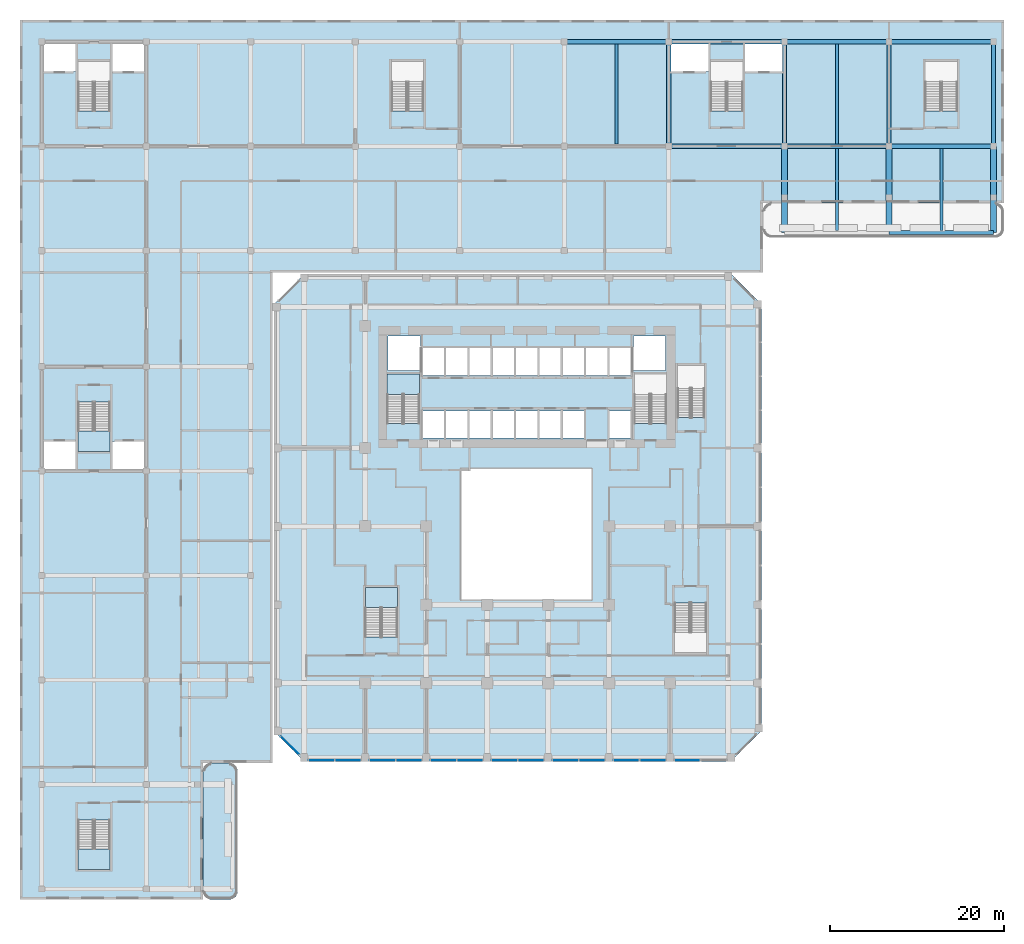
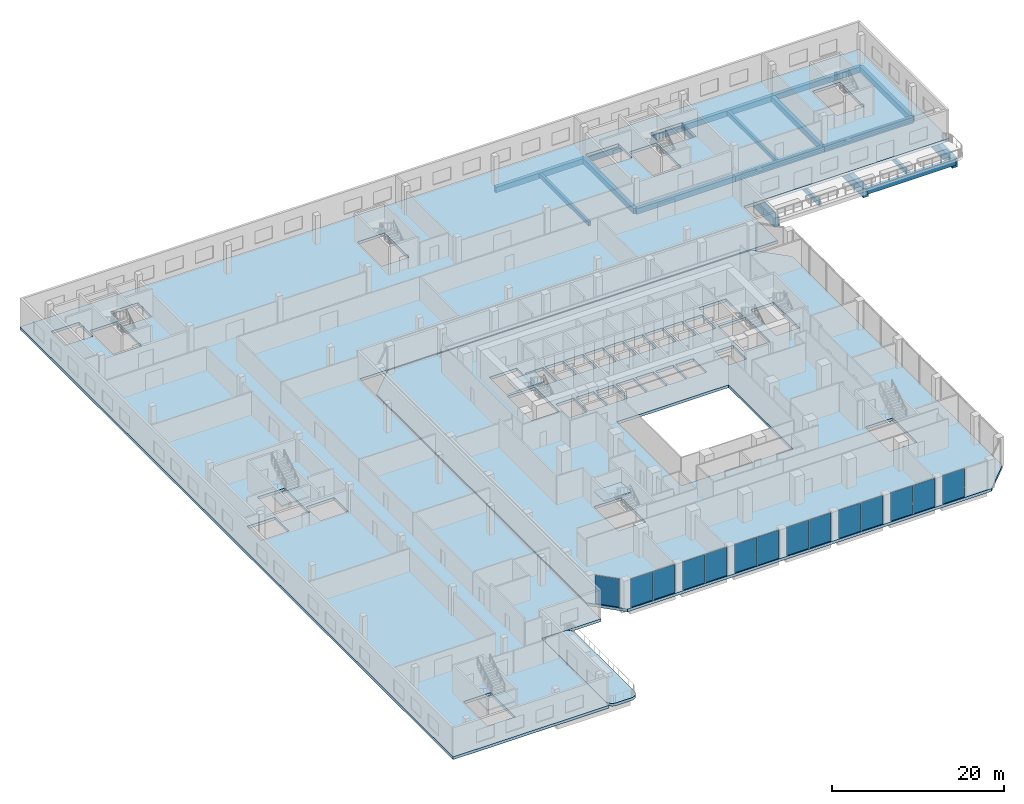
# One storey, part 11 of 36: 19 beams, 14 plates, 7 slabs, 18 elements without a shape of their own.
"""IFC4 building model written with IfcOpenShell, lengths in metres."""

from ifc_helpers import new_model, si_unit, direction, frame, origin, origin_2d, place, context, subcontext, project, spatial, polyline, rectangle, outline, extrude, source, transform, mapped, material, layer, layer_set, material_profile, profile_set, type_object, element, aggregate, save


model = new_model("IFC4")

# Units and contexts
model_context = context("Model", 3, precision=1e-05, world=origin(), true_north=direction((0.0, 1.0)))
body_context = subcontext(model_context, "Body", "Model", "MODEL_VIEW")
ifc_project = project(units=[si_unit("LENGTHUNIT", "METRE"), si_unit("AREAUNIT", "SQUARE_METRE"), si_unit("VOLUMEUNIT", "CUBIC_METRE"), si_unit("PLANEANGLEUNIT", "RADIAN"), si_unit("MASSUNIT", "GRAM", prefix="KILO")], contexts=[model_context])

# Site, building, storey
site_placement = place(None, origin())
site = spatial("IfcSite", under=ifc_project, at=site_placement, CompositionType="ELEMENT")
building_placement = place(site_placement, origin())
building = spatial("IfcBuilding", under=site, at=building_placement, Name="Kilnfold Tower and Market Hall", CompositionType="ELEMENT")
storey_placement = place(building_placement, frame((0.0, 0.0, 18.0)))
storey = spatial("IfcBuildingStorey", under=building, at=storey_placement, Name="L03", CompositionType="ELEMENT", Elevation=18.0)

# Beams
ifc_material_1 = material(Name="Concrete C40/50", Category="concrete")
ifc_material_profile_1 = material_profile(ifc_material_1, rectangle(XDim=0.5, YDim=0.800048828125, at=origin_2d()), Name="RC 500x800")
ifc_profile_set_1 = profile_set([ifc_material_profile_1], Name="Concrete C40/50")
beam_type_1 = type_object("IfcBeamType", Name="HALL GIRDER 500X800", PredefinedType="BEAM", material=ifc_profile_set_1)
for number, where, z_axis, x_axis, name in (
    (1, (5.35009765625, 54.64990234375, -0.800048828125), (1.0, 0.0, 0.0), (0.0, 1.0, 0.0), "Beam MG2.57"),
    (2, (17.35009765625, 42.64990234375, -0.800048828125), (0.0, 1.0, 0.0), (-1.0, 0.0, 0.0), "Beam MG2.59"),
):
    element("IfcBeam", number, at=place(storey_placement, frame(where, z_axis=z_axis, x_axis=x_axis)), inside=storey, type_object=beam_type_1, Name=name, PredefinedType="BEAM", context=body_context, shape_type="SweptSolid", body=[
        extrude(rectangle(XDim=0.5, YDim=0.800048828125, at=origin_2d()), origin(), (0.0, 0.0, 1.0), 12.0),
    ])
for number, where, z_axis, x_axis, name in (
    (3, (17.35009765625, 42.64990234375, -0.800048828125), (1.0, 0.0, 0.0), (0.0, 1.0, 0.0), "Beam MG2.60"),
    (4, (17.35009765625, 54.64990234375, -0.800048828125), (1.0, 0.0, 0.0), (0.0, 1.0, 0.0), "Beam MG2.61"),
):
    element("IfcBeam", number, at=place(storey_placement, frame(where, z_axis=z_axis, x_axis=x_axis)), inside=storey, type_object=beam_type_1, Name=name, PredefinedType="BEAM", context=body_context, shape_type="SweptSolid", body=[
        extrude(rectangle(XDim=0.5, YDim=0.800048828125, at=origin_2d()), origin(), (0.0, 0.0, 1.0), 13.2998046875),
    ])
for number, where, z_axis, x_axis, name in (
    (5, (30.64990234375, 42.64990234375, -0.800048828125), (0.0, 1.0, 0.0), (-1.0, 0.0, 0.0), "Beam MG2.63"),
    (6, (30.64990234375, 42.64990234375, -0.800048828125), (1.0, 0.0, 0.0), (0.0, 1.0, 0.0), "Beam MG2.64"),
    (7, (30.64990234375, 54.64990234375, -0.800048828125), (1.0, 0.0, 0.0), (0.0, 1.0, 0.0), "Beam MG2.65"),
    (8, (42.64990234375, 32.75, -0.800048828125), (1.0, 0.0, 0.0), (0.0, 1.0, 0.0), "Beam MG2.66"),
    (9, (42.64990234375, 42.64990234375, -0.800048828125), (0.0, 1.0, 0.0), (-1.0, 0.0, 0.0), "Beam MG2.67"),
    (10, (42.64990234375, 42.64990234375, -0.800048828125), (1.0, 0.0, 0.0), (0.0, 1.0, 0.0), "Beam MG2.68"),
    (11, (42.64990234375, 54.64990234375, -0.800048828125), (1.0, 0.0, 0.0), (0.0, 1.0, 0.0), "Beam MG2.69"),
    (12, (54.64990234375, 42.64990234375, -0.800048828125), (0.0, 1.0, 0.0), (-1.0, 0.0, 0.0), "Beam MG2.70"),
):
    element("IfcBeam", number, at=place(storey_placement, frame(where, z_axis=z_axis, x_axis=x_axis)), inside=storey, type_object=beam_type_1, Name=name, PredefinedType="BEAM", context=body_context, shape_type="SweptSolid", body=[
        extrude(rectangle(XDim=0.5, YDim=0.800048828125, at=origin_2d()), origin(), (0.0, 0.0, 1.0), 12.0),
    ])
ifc_material_2 = material(Name="Concrete C40/50", Category="concrete")
ifc_material_profile_2 = material_profile(ifc_material_2, rectangle(XDim=0.35009765625, YDim=0.60009765625, at=origin_2d()), Name="RC 350x600")
ifc_profile_set_2 = profile_set([ifc_material_profile_2], Name="Concrete C40/50")
beam_type_2 = type_object("IfcBeamType", Name="HALL JOIST 350X600", PredefinedType="BEAM", material=ifc_profile_set_2)
beam_1_placement = place(storey_placement, frame((11.35009765625, 42.89990234375, -0.699951171875), z_axis=(0.0, 1.0, 0.0), x_axis=(-1.0, 0.0, 0.0)))
element("IfcBeam", 13, at=beam_1_placement, inside=storey, type_object=beam_type_2, Name="Beam MJ1.12", PredefinedType="BEAM", context=body_context, shape_type="SweptSolid", body=[
    extrude(rectangle(XDim=0.35009765625, YDim=0.60009765625, at=origin_2d()), origin(), (0.0, 0.0, 1.0), 11.5),
])
beam_2_placement = place(storey_placement, frame((36.64990234375, 33.0, -0.699951171875), z_axis=(0.0, 1.0, 0.0), x_axis=(-1.0, 0.0, 0.0)))
element("IfcBeam", 14, at=beam_2_placement, inside=storey, type_object=beam_type_2, Name="Beam MJ1.13", PredefinedType="BEAM", context=body_context, shape_type="SweptSolid", body=[
    extrude(rectangle(XDim=0.35009765625, YDim=0.60009765625, at=origin_2d()), origin(), (0.0, 0.0, 1.0), 9.39990234375),
])
beam_3_placement = place(storey_placement, frame((36.64990234375, 42.89990234375, -0.699951171875), z_axis=(0.0, 1.0, 0.0), x_axis=(-1.0, 0.0, 0.0)))
element("IfcBeam", 15, at=beam_3_placement, inside=storey, type_object=beam_type_2, Name="Beam MJ1.14", PredefinedType="BEAM", context=body_context, shape_type="SweptSolid", body=[
    extrude(rectangle(XDim=0.35009765625, YDim=0.60009765625, at=origin_2d()), origin(), (0.0, 0.0, 1.0), 11.5),
])
beam_4_placement = place(storey_placement, frame((48.64990234375, 33.0, -0.699951171875), z_axis=(0.0, 1.0, 0.0), x_axis=(-1.0, 0.0, 0.0)))
element("IfcBeam", 16, at=beam_4_placement, inside=storey, type_object=beam_type_2, Name="Beam MJ1.15", PredefinedType="BEAM", context=body_context, shape_type="SweptSolid", body=[
    extrude(rectangle(XDim=0.35009765625, YDim=0.60009765625, at=origin_2d()), origin(), (0.0, 0.0, 1.0), 9.39990234375),
])
ifc_material_3 = material(Name="Concrete C45/55", Category="concrete")
ifc_material_profile_3 = material_profile(ifc_material_3, rectangle(XDim=0.699951171875, YDim=1.300048828125, at=origin_2d()), Name="RC 700x1300")
ifc_profile_set_3 = profile_set([ifc_material_profile_3], Name="Concrete C45/55")
beam_type_3 = type_object("IfcBeamType", Name="HALL TRANSFER 700X1300", PredefinedType="BEAM", material=ifc_profile_set_3)
for number, where, z_axis, x_axis, name in (
    (17, (30.64990234375, 32.75, -1.050048828125), (0.0, 1.0, 0.0), (-1.0, 0.0, 0.0), "Beam MT1.3"),
    (18, (42.64990234375, 32.75, -1.050048828125), (0.0, 1.0, 0.0), (-1.0, 0.0, 0.0), "Beam MT1.4"),
    (19, (54.64990234375, 32.75, -1.050048828125), (0.0, 1.0, 0.0), (-1.0, 0.0, 0.0), "Beam MT1.5"),
):
    element("IfcBeam", number, at=place(storey_placement, frame(where, z_axis=z_axis, x_axis=x_axis)), inside=storey, type_object=beam_type_3, Name=name, PredefinedType="BEAM", context=body_context, shape_type="SweptSolid", body=[
        extrude(rectangle(XDim=0.699951171875, YDim=1.300048828125, at=origin_2d()), origin(), (0.0, 0.0, 1.0), 9.89990234375),
    ])

# Slabs
ifc_material_4 = material(Name="Concrete C45", Category="concrete")
ifc_layer_1 = layer(ifc_material_4, 0.39990234375)
ifc_layer_set_1 = layer_set([ifc_layer_1], Name="Concrete C45")
slab_type_1 = type_object("IfcSlabType", Name="FLOOR SLAB 400", PredefinedType="FLOOR", material=ifc_layer_set_1)
shared_shape_1 = source(origin(), body_context, "Body", "SweptSolid", [
    extrude(outline(polyline([(-24.5, -28.0), (24.5, -28.0), (28.0, -24.5), (28.0, 24.5), (24.5, 28.0), (-24.5, 28.0), (-28.0, 24.5), (-28.0, -24.5), (-24.5, -28.0)]), holes=[polyline([(-17.49951171875, -13.699462890625), (-17.49951171875, -8.00048828125), (-13.800537109375, -8.00048828125), (-13.800537109375, -13.699462890625), (-17.49951171875, -13.699462890625)]), polyline([(-14.99951171875, 10.800537109375), (-14.99951171875, 16.49951171875), (-11.300537109375, 16.49951171875), (-11.300537109375, 10.800537109375), (-14.99951171875, 10.800537109375)]), polyline([(-14.875, 16.875), (-14.875, 20.875), (-11.175048828125, 20.875), (-11.175048828125, 16.875), (-14.875, 16.875)]), polyline([(-10.885009765625, 9.125), (-10.885009765625, 12.27490234375), (-8.455078125, 12.27490234375), (-8.455078125, 9.125), (-10.885009765625, 9.125)]), polyline([(-10.885009765625, 16.324951171875), (-10.885009765625, 19.47509765625), (-8.455078125, 19.47509765625), (-8.455078125, 16.324951171875), (-10.885009765625, 16.324951171875)]), polyline([(-8.205078125, 9.125), (-8.205078125, 12.27490234375), (-5.77490234375, 12.27490234375), (-5.77490234375, 9.125), (-8.205078125, 9.125)]), polyline([(-8.205078125, 16.324951171875), (-8.205078125, 19.47509765625), (-5.77490234375, 19.47509765625), (-5.77490234375, 16.324951171875), (-8.205078125, 16.324951171875)]), polyline([(-6.5, -9.39990234375), (-6.5, 5.60009765625), (8.5, 5.60009765625), (8.5, -9.39990234375), (-6.5, -9.39990234375)]), polyline([(-5.52490234375, 9.125), (-5.52490234375, 12.27490234375), (-3.094970703125, 12.27490234375), (-3.094970703125, 9.125), (-5.52490234375, 9.125)]), polyline([(-5.52490234375, 16.324951171875), (-5.52490234375, 19.47509765625), (-3.094970703125, 19.47509765625), (-3.094970703125, 16.324951171875), (-5.52490234375, 16.324951171875)]), polyline([(-2.844970703125, 9.125), (-2.844970703125, 12.27490234375), (-0.4150390625, 12.27490234375), (-0.4150390625, 9.125), (-2.844970703125, 9.125)]), polyline([(-2.844970703125, 16.324951171875), (-2.844970703125, 19.47509765625), (-0.4150390625, 19.47509765625), (-0.4150390625, 16.324951171875), (-2.844970703125, 16.324951171875)]), polyline([(-0.1650390625, 9.125), (-0.1650390625, 12.27490234375), (2.264892578125, 12.27490234375), (2.264892578125, 9.125), (-0.1650390625, 9.125)]), polyline([(-0.1650390625, 16.324951171875), (-0.1650390625, 19.47509765625), (2.264892578125, 19.47509765625), (2.264892578125, 16.324951171875), (-0.1650390625, 16.324951171875)]), polyline([(2.514892578125, 9.125), (2.514892578125, 12.27490234375), (4.945068359375, 12.27490234375), (4.945068359375, 9.125), (2.514892578125, 9.125)]), polyline([(2.514892578125, 16.324951171875), (2.514892578125, 19.47509765625), (4.945068359375, 19.47509765625), (4.945068359375, 16.324951171875), (2.514892578125, 16.324951171875)]), polyline([(5.195068359375, 9.125), (5.195068359375, 12.27490234375), (7.625, 12.27490234375), (7.625, 9.125), (5.195068359375, 9.125)]), polyline([(5.195068359375, 16.324951171875), (5.195068359375, 19.47509765625), (7.625, 19.47509765625), (7.625, 16.324951171875), (5.195068359375, 16.324951171875)]), polyline([(7.875, 16.324951171875), (7.875, 19.47509765625), (10.304931640625, 19.47509765625), (10.304931640625, 16.324951171875), (7.875, 16.324951171875)]), polyline([(10.554931640625, 9.125), (10.554931640625, 12.27490234375), (12.985107421875, 12.27490234375), (12.985107421875, 9.125), (10.554931640625, 9.125)]), polyline([(10.554931640625, 16.324951171875), (10.554931640625, 19.47509765625), (12.985107421875, 19.47509765625), (12.985107421875, 16.324951171875), (10.554931640625, 16.324951171875)]), polyline([(13.27490234375, 16.875), (13.27490234375, 20.875), (16.97509765625, 20.875), (16.97509765625, 16.875), (13.27490234375, 16.875)]), polyline([(13.400390625, 10.800537109375), (13.400390625, 16.49951171875), (17.099609375, 16.49951171875), (17.099609375, 10.800537109375), (13.400390625, 10.800537109375)]), polyline([(21.699462890625, -9.800537109375), (21.699462890625, -15.49951171875), (18.00048828125, -15.49951171875), (18.00048828125, -9.800537109375), (21.699462890625, -9.800537109375)]), polyline([(18.3505859375, 11.50048828125), (18.3505859375, 17.49951171875), (21.449462890625, 17.49951171875), (21.449462890625, 11.50048828125), (18.3505859375, 11.50048828125)])]), origin(), (0.0, 0.0, 1.0), 0.400146484375),
])
slab_1_placement = place(storey_placement, frame((0.0, 0.0, -0.400146484375)))
element("IfcSlab", 20, at=slab_1_placement, inside=storey, type_object=slab_type_1, Name="Floor slab L03", PredefinedType="FLOOR", context=body_context, shape_type="MappedRepresentation", body=[
    mapped(shared_shape_1, transform((0.0, 0.0, 0.0))),
])
ifc_material_5 = material(Name="Concrete C40/50", Category="concrete")
ifc_layer_2 = layer(ifc_material_5, 0.39990234375)
ifc_layer_set_2 = layer_set([ifc_layer_2], Name="Concrete C40/50")
slab_type_2 = type_object("IfcSlabType", Name="HALL SLAB 400", PredefinedType="FLOOR", material=ifc_layer_set_2)
shared_shape_2 = source(origin(), body_context, "Body", "SweptSolid", [
    extrude(outline(polyline([(-57.14990234375, -43.85009765625), (-36.14990234375, -43.85009765625), (-36.14990234375, -28.14990234375), (-28.14990234375, -28.14990234375), (-28.14990234375, -24.56201171875), (-28.14990234375, 24.56201171875), (-28.14990234375, 28.14990234375), (-24.56201171875, 28.14990234375), (24.56201171875, 28.14990234375), (28.14990234375, 28.14990234375), (28.14990234375, 36.14990234375), (55.85009765625, 36.14990234375), (55.85009765625, 57.14990234375), (-28.14990234375, 57.14990234375), (-57.14990234375, 57.14990234375), (-57.14990234375, 28.14990234375), (-57.14990234375, -43.85009765625)]), holes=[polyline([(-50.5, -34.705078125), (-50.5, -40.39990234375), (-46.800048828125, -40.39990234375), (-46.800048828125, -34.705078125), (-50.5, -34.705078125)]), polyline([(-50.5, 13.294921875), (-50.5, 7.60009765625), (-46.800048828125, 7.60009765625), (-46.800048828125, 13.294921875), (-50.5, 13.294921875)]), polyline([(-46.800048828125, 46.705078125), (-46.800048828125, 52.39990234375), (-50.5, 52.39990234375), (-50.5, 46.705078125), (-46.800048828125, 46.705078125)]), polyline([(-10.800048828125, 46.705078125), (-10.800048828125, 52.39990234375), (-14.5, 52.39990234375), (-14.5, 46.705078125), (-10.800048828125, 46.705078125)]), polyline([(25.85009765625, 46.705078125), (25.85009765625, 52.39990234375), (22.14990234375, 52.39990234375), (22.14990234375, 46.705078125), (25.85009765625, 46.705078125)]), polyline([(50.5, 46.705078125), (50.5, 52.39990234375), (46.800048828125, 52.39990234375), (46.800048828125, 46.705078125), (50.5, 46.705078125)]), polyline([(-54.5, 5.5), (-50.75, 5.5), (-50.75, 8.75), (-54.5, 8.75), (-54.5, 5.5)]), polyline([(-46.550048828125, 5.5), (-42.800048828125, 5.5), (-42.800048828125, 8.75), (-46.550048828125, 8.75), (-46.550048828125, 5.5)]), polyline([(-42.800048828125, 54.5), (-46.550048828125, 54.5), (-46.550048828125, 51.25), (-42.800048828125, 51.25), (-42.800048828125, 54.5)]), polyline([(-50.75, 54.5), (-54.5, 54.5), (-54.5, 51.25), (-50.75, 51.25), (-50.75, 54.5)]), polyline([(30.5, 54.5), (26.10009765625, 54.5), (26.10009765625, 51.25), (30.5, 51.25), (30.5, 54.5)]), polyline([(21.89990234375, 54.5), (17.5, 54.5), (17.5, 51.25), (21.89990234375, 51.25), (21.89990234375, 54.5)])]), origin(), (0.0, 0.0, 1.0), 0.39990234375),
])
slab_2_placement = place(storey_placement, frame((0.0, 0.0, -0.39990234375)))
element("IfcSlab", 21, at=slab_2_placement, inside=storey, type_object=slab_type_2, Name="Floor slab L03", PredefinedType="FLOOR", context=body_context, shape_type="MappedRepresentation", body=[
    mapped(shared_shape_2, transform((0.0, 0.0, 0.0))),
])

# Curtain wall, plate
ifc_material_6 = material(Name="Aluminium and double glazing", Category="aluminium")
curtain_wall_type = type_object("IfcCurtainWallType", Name="CW BASE PODIUM GLAZING", PredefinedType="NOTDEFINED", material=ifc_material_6)
curtain_wall_1_placement = place(storey_placement, origin())
curtain_wall_1 = element("IfcCurtainWall", 22, at=curtain_wall_1_placement, inside=storey, type_object=curtain_wall_type, Name="Curtain wall CW4 L03 S", PredefinedType="NOTDEFINED")
ifc_material_7 = material(Name="Double glazed unit")
ifc_layer_3 = layer(ifc_material_7, 0.035888671875)
ifc_layer_set_3 = layer_set([ifc_layer_3], Name="Double glazed unit")
plate_type = type_object("IfcPlateType", Name="GLAZING PANEL 36", PredefinedType="CURTAIN_PANEL", material=ifc_layer_set_3)
shared_shape_3 = source(origin(), body_context, "Body", "SweptSolid", [
    extrude(rectangle(XDim=2.909912109375, YDim=0.035888671875, at=origin_2d()), origin(), (0.0, 0.0, 1.0), 4.030029296875),
])
plate_1_placement = place(storey_placement, frame((-22.52490234375, -27.85009765625, 0.0), z_axis=(0.0, 0.0, 1.0), x_axis=(1.0, 0.0, 0.0)))
plate_1 = element("IfcPlate", 23, at=plate_1_placement, type_object=plate_type, Name="CW4 panel 1.1", PredefinedType="CURTAIN_PANEL", context=body_context, shape_type="MappedRepresentation", body=[
    mapped(shared_shape_3, transform((0.0, 0.0, 0.0))),
])
aggregate(curtain_wall_1, [plate_1])

curtain_wall_2_placement = place(storey_placement, origin())
curtain_wall_2 = element("IfcCurtainWall", 24, at=curtain_wall_2_placement, inside=storey, type_object=curtain_wall_type, Name="Curtain wall CW4 L03 S", PredefinedType="NOTDEFINED")
plate_2_placement = place(storey_placement, frame((-19.47509765625, -27.85009765625, 0.0), z_axis=(0.0, 0.0, 1.0), x_axis=(1.0, 0.0, 0.0)))
plate_2 = element("IfcPlate", 25, at=plate_2_placement, type_object=plate_type, Name="CW4 panel 1.1", PredefinedType="CURTAIN_PANEL", context=body_context, shape_type="MappedRepresentation", body=[
    mapped(shared_shape_3, transform((0.0, 0.0, 0.0))),
])
aggregate(curtain_wall_2, [plate_2])

curtain_wall_3_placement = place(storey_placement, origin())
curtain_wall_3 = element("IfcCurtainWall", 26, at=curtain_wall_3_placement, inside=storey, type_object=curtain_wall_type, Name="Curtain wall CW4 L03 S", PredefinedType="NOTDEFINED")
plate_3_placement = place(storey_placement, frame((-15.52490234375, -27.85009765625, 0.0), z_axis=(0.0, 0.0, 1.0), x_axis=(1.0, 0.0, 0.0)))
plate_3 = element("IfcPlate", 27, at=plate_3_placement, type_object=plate_type, Name="CW4 panel 1.1", PredefinedType="CURTAIN_PANEL", context=body_context, shape_type="MappedRepresentation", body=[
    mapped(shared_shape_3, transform((0.0, 0.0, 0.0))),
])
aggregate(curtain_wall_3, [plate_3])

curtain_wall_4_placement = place(storey_placement, origin())
curtain_wall_4 = element("IfcCurtainWall", 28, at=curtain_wall_4_placement, inside=storey, type_object=curtain_wall_type, Name="Curtain wall CW4 L03 S", PredefinedType="NOTDEFINED")
plate_4_placement = place(storey_placement, frame((-12.47509765625, -27.85009765625, 0.0), z_axis=(0.0, 0.0, 1.0), x_axis=(1.0, 0.0, 0.0)))
plate_4 = element("IfcPlate", 29, at=plate_4_placement, type_object=plate_type, Name="CW4 panel 1.1", PredefinedType="CURTAIN_PANEL", context=body_context, shape_type="MappedRepresentation", body=[
    mapped(shared_shape_3, transform((0.0, 0.0, 0.0))),
])
aggregate(curtain_wall_4, [plate_4])

curtain_wall_5_placement = place(storey_placement, origin())
curtain_wall_5 = element("IfcCurtainWall", 30, at=curtain_wall_5_placement, inside=storey, type_object=curtain_wall_type, Name="Curtain wall CW4 L03 S", PredefinedType="NOTDEFINED")
plate_5_placement = place(storey_placement, frame((-8.52490234375, -27.85009765625, 0.0), z_axis=(0.0, 0.0, 1.0), x_axis=(1.0, 0.0, 0.0)))
plate_5 = element("IfcPlate", 31, at=plate_5_placement, type_object=plate_type, Name="CW4 panel 1.1", PredefinedType="CURTAIN_PANEL", context=body_context, shape_type="MappedRepresentation", body=[
    mapped(shared_shape_3, transform((0.0, 0.0, 0.0))),
])
aggregate(curtain_wall_5, [plate_5])

curtain_wall_6_placement = place(storey_placement, origin())
curtain_wall_6 = element("IfcCurtainWall", 32, at=curtain_wall_6_placement, inside=storey, type_object=curtain_wall_type, Name="Curtain wall CW4 L03 S", PredefinedType="NOTDEFINED")
plate_6_placement = place(storey_placement, frame((-5.47509765625, -27.85009765625, 0.0), z_axis=(0.0, 0.0, 1.0), x_axis=(1.0, 0.0, 0.0)))
plate_6 = element("IfcPlate", 33, at=plate_6_placement, type_object=plate_type, Name="CW4 panel 1.1", PredefinedType="CURTAIN_PANEL", context=body_context, shape_type="MappedRepresentation", body=[
    mapped(shared_shape_3, transform((0.0, 0.0, 0.0))),
])
aggregate(curtain_wall_6, [plate_6])

curtain_wall_7_placement = place(storey_placement, origin())
curtain_wall_7 = element("IfcCurtainWall", 34, at=curtain_wall_7_placement, inside=storey, type_object=curtain_wall_type, Name="Curtain wall CW4 L03 S", PredefinedType="NOTDEFINED")
plate_7_placement = place(storey_placement, frame((-1.52490234375, -27.85009765625, 0.0), z_axis=(0.0, 0.0, 1.0), x_axis=(1.0, 0.0, 0.0)))
plate_7 = element("IfcPlate", 35, at=plate_7_placement, type_object=plate_type, Name="CW4 panel 1.1", PredefinedType="CURTAIN_PANEL", context=body_context, shape_type="MappedRepresentation", body=[
    mapped(shared_shape_3, transform((0.0, 0.0, 0.0))),
])
aggregate(curtain_wall_7, [plate_7])

curtain_wall_8_placement = place(storey_placement, origin())
curtain_wall_8 = element("IfcCurtainWall", 36, at=curtain_wall_8_placement, inside=storey, type_object=curtain_wall_type, Name="Curtain wall CW4 L03 S", PredefinedType="NOTDEFINED")
plate_8_placement = place(storey_placement, frame((1.52490234375, -27.85009765625, 0.0), z_axis=(0.0, 0.0, 1.0), x_axis=(1.0, 0.0, 0.0)))
plate_8 = element("IfcPlate", 37, at=plate_8_placement, type_object=plate_type, Name="CW4 panel 1.1", PredefinedType="CURTAIN_PANEL", context=body_context, shape_type="MappedRepresentation", body=[
    mapped(shared_shape_3, transform((0.0, 0.0, 0.0))),
])
aggregate(curtain_wall_8, [plate_8])

curtain_wall_9_placement = place(storey_placement, origin())
curtain_wall_9 = element("IfcCurtainWall", 38, at=curtain_wall_9_placement, inside=storey, type_object=curtain_wall_type, Name="Curtain wall CW4 L03 S", PredefinedType="NOTDEFINED")
plate_9_placement = place(storey_placement, frame((5.47509765625, -27.85009765625, 0.0), z_axis=(0.0, 0.0, 1.0), x_axis=(1.0, 0.0, 0.0)))
plate_9 = element("IfcPlate", 39, at=plate_9_placement, type_object=plate_type, Name="CW4 panel 1.1", PredefinedType="CURTAIN_PANEL", context=body_context, shape_type="MappedRepresentation", body=[
    mapped(shared_shape_3, transform((0.0, 0.0, 0.0))),
])
aggregate(curtain_wall_9, [plate_9])

curtain_wall_10_placement = place(storey_placement, origin())
curtain_wall_10 = element("IfcCurtainWall", 40, at=curtain_wall_10_placement, inside=storey, type_object=curtain_wall_type, Name="Curtain wall CW4 L03 S", PredefinedType="NOTDEFINED")
plate_10_placement = place(storey_placement, frame((8.52490234375, -27.85009765625, 0.0), z_axis=(0.0, 0.0, 1.0), x_axis=(1.0, 0.0, 0.0)))
plate_10 = element("IfcPlate", 41, at=plate_10_placement, type_object=plate_type, Name="CW4 panel 1.1", PredefinedType="CURTAIN_PANEL", context=body_context, shape_type="MappedRepresentation", body=[
    mapped(shared_shape_3, transform((0.0, 0.0, 0.0))),
])
aggregate(curtain_wall_10, [plate_10])

curtain_wall_11_placement = place(storey_placement, origin())
curtain_wall_11 = element("IfcCurtainWall", 42, at=curtain_wall_11_placement, inside=storey, type_object=curtain_wall_type, Name="Curtain wall CW4 L03 S", PredefinedType="NOTDEFINED")
plate_11_placement = place(storey_placement, frame((12.47509765625, -27.85009765625, 0.0), z_axis=(0.0, 0.0, 1.0), x_axis=(1.0, 0.0, 0.0)))
plate_11 = element("IfcPlate", 43, at=plate_11_placement, type_object=plate_type, Name="CW4 panel 1.1", PredefinedType="CURTAIN_PANEL", context=body_context, shape_type="MappedRepresentation", body=[
    mapped(shared_shape_3, transform((0.0, 0.0, 0.0))),
])
aggregate(curtain_wall_11, [plate_11])

curtain_wall_12_placement = place(storey_placement, origin())
curtain_wall_12 = element("IfcCurtainWall", 44, at=curtain_wall_12_placement, inside=storey, type_object=curtain_wall_type, Name="Curtain wall CW4 L03 S", PredefinedType="NOTDEFINED")
plate_12_placement = place(storey_placement, frame((15.52490234375, -27.85009765625, 0.0), z_axis=(0.0, 0.0, 1.0), x_axis=(1.0, 0.0, 0.0)))
plate_12 = element("IfcPlate", 45, at=plate_12_placement, type_object=plate_type, Name="CW4 panel 1.1", PredefinedType="CURTAIN_PANEL", context=body_context, shape_type="MappedRepresentation", body=[
    mapped(shared_shape_3, transform((0.0, 0.0, 0.0))),
])
aggregate(curtain_wall_12, [plate_12])

curtain_wall_13_placement = place(storey_placement, origin())
curtain_wall_13 = element("IfcCurtainWall", 46, at=curtain_wall_13_placement, inside=storey, type_object=curtain_wall_type, Name="Curtain wall CW4 L03 S", PredefinedType="NOTDEFINED")
plate_13_placement = place(storey_placement, frame((19.47509765625, -27.85009765625, 0.0), z_axis=(0.0, 0.0, 1.0), x_axis=(1.0, 0.0, 0.0)))
plate_13 = element("IfcPlate", 47, at=plate_13_placement, type_object=plate_type, Name="CW4 panel 1.1", PredefinedType="CURTAIN_PANEL", context=body_context, shape_type="MappedRepresentation", body=[
    mapped(shared_shape_3, transform((0.0, 0.0, 0.0))),
])
aggregate(curtain_wall_13, [plate_13])

curtain_wall_14_placement = place(storey_placement, origin())
curtain_wall_14 = element("IfcCurtainWall", 48, at=curtain_wall_14_placement, inside=storey, type_object=curtain_wall_type, Name="Curtain wall CW4 L03 SW", PredefinedType="NOTDEFINED")
shared_shape_4 = source(origin(), body_context, "Body", "SweptSolid", [
    extrude(rectangle(XDim=2.900634765625, YDim=0.035888671875, at=origin_2d()), origin(), (0.0, 0.0, 1.0), 4.030029296875),
])
plate_14_placement = place(storey_placement, frame((-26.143798828125, -26.14404296875, 0.0), z_axis=(0.0, 0.0, 1.0), x_axis=(0.707090337034, -0.707123224957, 0.0)))
plate_14 = element("IfcPlate", 49, at=plate_14_placement, type_object=plate_type, Name="CW4 panel 1.1", PredefinedType="CURTAIN_PANEL", context=body_context, shape_type="MappedRepresentation", body=[
    mapped(shared_shape_4, transform((0.0, 0.0, 0.0))),
])
aggregate(curtain_wall_14, [plate_14])

# Slab
ifc_material_8 = material(Name="Concrete C40/50", Category="concrete")
ifc_layer_4 = layer(ifc_material_8, 0.39990234375)
ifc_layer_set_4 = layer_set([ifc_layer_4], Name="Concrete C40/50")
slab_type_3 = type_object("IfcSlabType", Name="TERRACE SLAB 400", PredefinedType="ROOF", material=ifc_layer_set_4)
shared_shape_5 = source(origin(), body_context, "Body", "SweptSolid", [
    extrude(outline(polyline([(-32.14990234375, -42.85009765625), (-32.15478515625, -42.947998046875), (-32.169189453125, -43.045166015625), (-32.193115234375, -43.140380859375), (-32.22607421875, -43.232666015625), (-32.26806640625, -43.3212890625), (-32.318603515625, -43.405517578125), (-32.376953125, -43.484375), (-32.44287109375, -43.55712890625), (-32.515625, -43.623046875), (-32.594482421875, -43.681396484375), (-32.6787109375, -43.73193359375), (-32.767333984375, -43.77392578125), (-32.859619140625, -43.806884765625), (-32.954833984375, -43.830810546875), (-33.052001953125, -43.84521484375), (-33.14990234375, -43.85009765625), (-35.139892578125, -43.85009765625), (-35.238037109375, -43.84521484375), (-35.335205078125, -43.830810546875), (-35.430419921875, -43.806884765625), (-35.522705078125, -43.77392578125), (-35.611328125, -43.73193359375), (-35.695556640625, -43.681396484375), (-35.7744140625, -43.623046875), (-35.84716796875, -43.55712890625), (-35.9130859375, -43.484375), (-35.971435546875, -43.405517578125), (-36.02197265625, -43.3212890625), (-36.06396484375, -43.232666015625), (-36.096923828125, -43.140380859375), (-36.120849609375, -43.045166015625), (-36.13525390625, -42.947998046875), (-36.139892578125, -42.85009765625), (-36.139892578125, -29.159912109375), (-36.13525390625, -29.06201171875), (-36.120849609375, -28.96484375), (-36.096923828125, -28.86962890625), (-36.06396484375, -28.77734375), (-36.02197265625, -28.688720703125), (-35.971435546875, -28.6044921875), (-35.9130859375, -28.525634765625), (-35.84716796875, -28.452880859375), (-35.7744140625, -28.386962890625), (-35.695556640625, -28.32861328125), (-35.611328125, -28.278076171875), (-35.522705078125, -28.236083984375), (-35.430419921875, -28.203125), (-35.335205078125, -28.17919921875), (-35.238037109375, -28.164794921875), (-35.139892578125, -28.159912109375), (-33.14990234375, -28.159912109375), (-33.052001953125, -28.164794921875), (-32.954833984375, -28.17919921875), (-32.859619140625, -28.203125), (-32.767333984375, -28.236083984375), (-32.6787109375, -28.278076171875), (-32.594482421875, -28.32861328125), (-32.515625, -28.386962890625), (-32.44287109375, -28.452880859375), (-32.376953125, -28.525634765625), (-32.318603515625, -28.6044921875), (-32.26806640625, -28.688720703125), (-32.22607421875, -28.77734375), (-32.193115234375, -28.86962890625), (-32.169189453125, -28.96484375), (-32.15478515625, -29.06201171875), (-32.14990234375, -29.159912109375), (-32.14990234375, -42.85009765625)])), origin(), (0.0, 0.0, 1.0), 0.39990234375),
])
slab_3_placement = place(storey_placement, frame((0.0, 0.0, -0.39990234375)))
element("IfcSlab", 50, at=slab_3_placement, inside=storey, type_object=slab_type_3, Name="Terrace slab L03", PredefinedType="ROOF", context=body_context, shape_type="MappedRepresentation", body=[
    mapped(shared_shape_5, transform((0.0, 0.0, 0.0))),
])

# Stair, slab
ifc_material_9 = material(Name="Concrete C40/50", Category="concrete")
stair_type_1 = type_object("IfcStairType", Name="CORE STAIR 1800", PredefinedType="HALF_TURN_STAIR", material=ifc_material_9)
stair_1_placement = place(storey_placement, origin())
stair_1 = element("IfcStair", 51, at=stair_1_placement, inside=storey, type_object=stair_type_1, Name="L03 ST1", PredefinedType="HALF_TURN_STAIR")
ifc_material_10 = material(Name="Concrete C40/50", Category="concrete")
ifc_layer_5 = layer(ifc_material_10, 0.199951171875)
ifc_layer_set_5 = layer_set([ifc_layer_5], Name="Concrete C40/50")
slab_type_4 = type_object("IfcSlabType", Name="CORE STAIR LANDING 200", PredefinedType="LANDING", material=ifc_layer_set_5)
shared_shape_6 = source(origin(), body_context, "Body", "SweptSolid", [
    extrude(outline(polyline([(-11.300048828125, 14.159912109375), (-11.300048828125, 16.5), (-15.0, 16.5), (-15.0, 14.159912109375), (-11.300048828125, 14.159912109375)])), origin(), (0.0, 0.0, 1.0), 0.199951171875),
])
slab_4_placement = place(storey_placement, frame((0.0, 0.0, 2.050048828125)))
slab_4 = element("IfcSlab", 52, at=slab_4_placement, type_object=slab_type_4, Name="ST1 landing 1", PredefinedType="LANDING", context=body_context, shape_type="MappedRepresentation", body=[
    mapped(shared_shape_6, transform((0.0, 0.0, 0.0))),
])
aggregate(stair_1, [slab_4])

stair_2_placement = place(storey_placement, origin())
stair_2 = element("IfcStair", 53, at=stair_2_placement, inside=storey, type_object=stair_type_1, Name="L03 ST3", PredefinedType="HALF_TURN_STAIR")
shared_shape_7 = source(origin(), body_context, "Body", "SweptSolid", [
    extrude(outline(polyline([(-13.800048828125, -10.340087890625), (-13.800048828125, -8.0), (-17.5, -8.0), (-17.5, -10.340087890625), (-13.800048828125, -10.340087890625)])), origin(), (0.0, 0.0, 1.0), 0.199951171875),
])
slab_5_placement = place(storey_placement, frame((0.0, 0.0, 2.050048828125)))
slab_5 = element("IfcSlab", 54, at=slab_5_placement, type_object=slab_type_4, Name="ST3 landing 1", PredefinedType="LANDING", context=body_context, shape_type="MappedRepresentation", body=[
    mapped(shared_shape_7, transform((0.0, 0.0, 0.0))),
])
aggregate(stair_2, [slab_5])

ifc_material_11 = material(Name="Concrete C40/50", Category="concrete")
stair_type_2 = type_object("IfcStairType", Name="HALL STAIR", PredefinedType="HALF_TURN_STAIR", material=ifc_material_11)
stair_3_placement = place(storey_placement, origin())
stair_3 = element("IfcStair", 55, at=stair_3_placement, inside=storey, type_object=stair_type_2, Name="L03 MS1", PredefinedType="HALF_TURN_STAIR")
ifc_material_12 = material(Name="Concrete C40/50", Category="concrete")
ifc_layer_6 = layer(ifc_material_12, 0.199951171875)
ifc_layer_set_6 = layer_set([ifc_layer_6], Name="Concrete C40/50")
slab_type_5 = type_object("IfcSlabType", Name="HALL STAIR LANDING", PredefinedType="LANDING", material=ifc_layer_set_6)
shared_shape_8 = source(origin(), body_context, "Body", "SweptSolid", [
    extrude(outline(polyline([(-50.5, -38.06005859375), (-50.5, -40.39990234375), (-46.800048828125, -40.39990234375), (-46.800048828125, -38.06005859375), (-50.5, -38.06005859375)])), origin(), (0.0, 0.0, 1.0), 0.199951171875),
])
slab_6_placement = place(storey_placement, frame((0.0, 0.0, 2.050048828125)))
slab_6 = element("IfcSlab", 56, at=slab_6_placement, type_object=slab_type_5, Name="MS1 landing 1", PredefinedType="LANDING", context=body_context, shape_type="MappedRepresentation", body=[
    mapped(shared_shape_8, transform((0.0, 0.0, 0.0))),
])
aggregate(stair_3, [slab_6])

stair_4_placement = place(storey_placement, origin())
stair_4 = element("IfcStair", 57, at=stair_4_placement, inside=storey, type_object=stair_type_2, Name="L03 MS2", PredefinedType="HALF_TURN_STAIR")
shared_shape_9 = source(origin(), body_context, "Body", "SweptSolid", [
    extrude(outline(polyline([(-50.5, 9.93994140625), (-50.5, 7.60009765625), (-46.800048828125, 7.60009765625), (-46.800048828125, 9.93994140625), (-50.5, 9.93994140625)])), origin(), (0.0, 0.0, 1.0), 0.199951171875),
])
slab_7_placement = place(storey_placement, frame((0.0, 0.0, 2.050048828125)))
slab_7 = element("IfcSlab", 58, at=slab_7_placement, type_object=slab_type_5, Name="MS2 landing 1", PredefinedType="LANDING", context=body_context, shape_type="MappedRepresentation", body=[
    mapped(shared_shape_9, transform((0.0, 0.0, 0.0))),
])
aggregate(stair_4, [slab_7])

save(model, "model.ifc")
